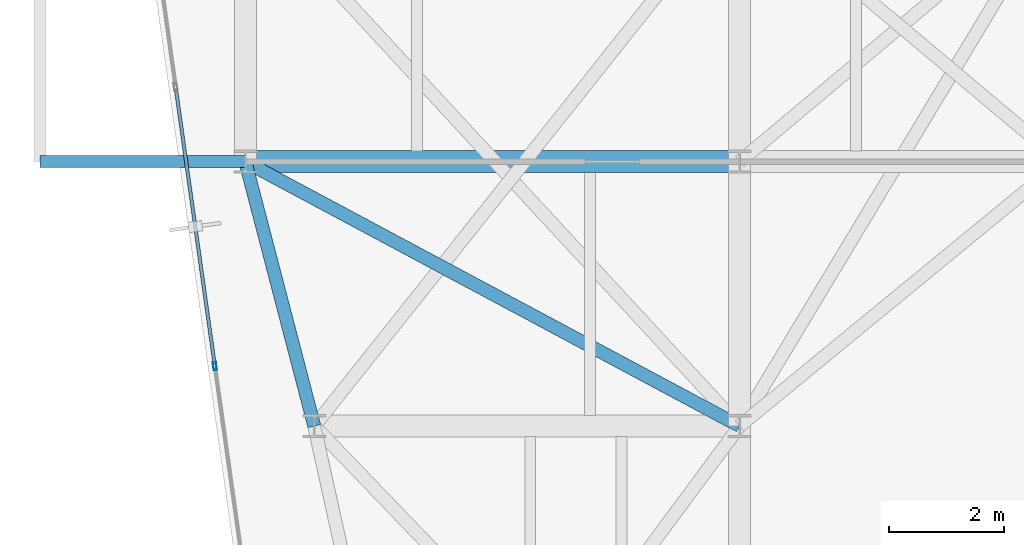
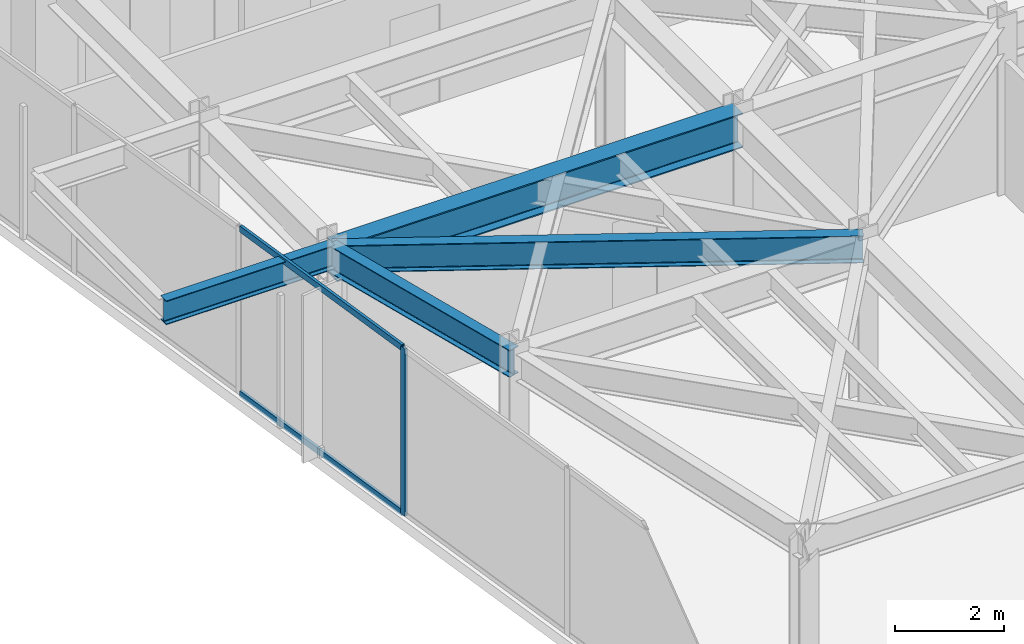
# One storey, part 4 of 26: 4 beams, 3 members, 1 element without a shape of its own.
"""IFC4 building model written with IfcOpenShell, lengths in metres."""

from ifc_helpers import new_model, si_unit, direction, frame, origin, origin_2d, place, context, subcontext, project, spatial, hollow_rectangle, i_section, extrude, material, layer, layer_set, material_profile, profile_set, type_object, element, aggregate, save


model = new_model("IFC4")

# Units and contexts
model_context = context("Model", 3, precision=1e-05, world=origin(), true_north=direction((0.0, 1.0)))
body_context = subcontext(model_context, "Body", "Model", "MODEL_VIEW")
ifc_project = project(units=[si_unit("LENGTHUNIT", "METRE"), si_unit("AREAUNIT", "SQUARE_METRE"), si_unit("VOLUMEUNIT", "CUBIC_METRE"), si_unit("PLANEANGLEUNIT", "RADIAN"), si_unit("MASSUNIT", "GRAM", prefix="KILO")], contexts=[model_context])

# Site, building, storey
site_placement = place(None, origin())
site = spatial("IfcSite", under=ifc_project, at=site_placement, CompositionType="ELEMENT")
building_placement = place(site_placement, origin())
building = spatial("IfcBuilding", under=site, at=building_placement, Name="Kravanh Interchange Tower", CompositionType="ELEMENT")
storey_placement = place(building_placement, frame((0.0, 0.0, 204.5)))
storey = spatial("IfcBuildingStorey", under=building, at=storey_placement, Name="L49", CompositionType="ELEMENT", Elevation=204.5)

# Curtain wall, members
ifc_material_1 = material(Name="Anodised Bronze Aluminium", Category="aluminium")
ifc_layer = layer(ifc_material_1, 0.179931640625)
ifc_layer_set = layer_set([ifc_layer], Name="Unitised Curtain Wall System CW-Z3 Upper Office")
curtain_wall_type = type_object("IfcCurtainWallType", Name="Unitised Curtain Wall System CW-Z3 Upper Office", PredefinedType="NOTDEFINED", material=ifc_layer_set)
curtain_wall_placement = place(storey_placement, origin())
curtain_wall = element("IfcCurtainWall", 1, at=curtain_wall_placement, inside=storey, type_object=curtain_wall_type, Name="L49 Unitised Curtain Wall CW-L49-01", PredefinedType="NOTDEFINED")
ifc_material_2 = material(Name="Anodised Bronze Aluminium", Category="aluminium")
ifc_material_profile_1 = material_profile(ifc_material_2, hollow_rectangle(XDim=0.06005859375, YDim=0.139892578125, WallThickness=0.00390625, at=origin_2d()), Name="ALU60X140X4")
ifc_profile_set_1 = profile_set([ifc_material_profile_1], Name="Anodised Bronze Aluminium")
member_type_1 = type_object("IfcMemberType", Name="Curtain Wall Mullion ALU60X140X4 Bronze", PredefinedType="MULLION", material=ifc_profile_set_1)
member_1_placement = place(storey_placement, frame((18.070556640625, 23.244384765625, 0.0), z_axis=(0.0, 0.0, 1.0), x_axis=(-0.990268194035, -0.139172209446, 0.0)))
member_1 = element("IfcMember", 2, at=member_1_placement, type_object=member_type_1, Name="CW-Z3 mullion 3", PredefinedType="MULLION", context=body_context, shape_type="SweptSolid", body=[
    extrude(hollow_rectangle(XDim=0.06005859375, YDim=0.139892578125, WallThickness=0.00390625, at=origin_2d()), origin(), (0.0, 0.0, 1.0), 3.7548828125),
])
ifc_material_3 = material(Name="Anodised Bronze Aluminium", Category="aluminium")
ifc_material_profile_2 = material_profile(ifc_material_3, hollow_rectangle(XDim=0.06005859375, YDim=0.139892578125, WallThickness=0.00390625, at=origin_2d()), Name="ALU60X140X4")
ifc_profile_set_2 = profile_set([ifc_material_profile_2], Name="Anodised Bronze Aluminium")
member_type_2 = type_object("IfcMemberType", Name="Curtain Wall Transom ALU60X140X4 Bronze", PredefinedType="USERDEFINED", material=ifc_profile_set_2)
member_2_placement = place(storey_placement, frame((18.06640625, 23.274169921875, 0.030029296875), z_axis=(-0.139182174391, 0.990266793512, 0.0), x_axis=(-0.990266793512, -0.139182174391, 0.0)))
member_2 = element("IfcMember", 3, at=member_2_placement, type_object=member_type_2, Name="CW-Z3 transom 3.1", ObjectType="TRANSOM", PredefinedType="USERDEFINED", context=body_context, shape_type="SweptSolid", body=[
    extrude(hollow_rectangle(XDim=0.06005859375, YDim=0.139892578125, WallThickness=0.00390625, at=origin_2d()), origin(), (0.0, 0.0, 1.0), 4.839599609375),
])
member_3_placement = place(storey_placement, frame((18.06640625, 23.274169921875, 3.72509765625), z_axis=(-0.139182174391, 0.990266793512, 0.0), x_axis=(-0.990266793512, -0.139182174391, 0.0)))
member_3 = element("IfcMember", 4, at=member_3_placement, type_object=member_type_2, Name="CW-Z3 transom 3.2", ObjectType="TRANSOM", PredefinedType="USERDEFINED", context=body_context, shape_type="SweptSolid", body=[
    extrude(hollow_rectangle(XDim=0.06005859375, YDim=0.139892578125, WallThickness=0.00390625, at=origin_2d()), origin(), (0.0, 0.0, 1.0), 4.839599609375),
])
aggregate(curtain_wall, [member_1, member_2, member_3])

# Beams
ifc_material_4 = material(Name="Structural Steel S355", Category="steel")
ifc_material_profile_3 = material_profile(ifc_material_4, i_section(OverallWidth=0.381103515625, OverallDepth=0.77294921875, WebThickness=0.0166015625, FlangeThickness=0.027099609375, FilletRadius=0.02490234375, at=origin_2d()), Name="W30X173")
ifc_profile_set_3 = profile_set([ifc_material_profile_3], Name="Structural Steel S355")
beam_type_1 = type_object("IfcBeamType", Name="Floor Beam W30X173 Structural Steel S355", PredefinedType="BEAM", material=ifc_profile_set_3)
beam_1_placement = place(storey_placement, frame((18.60009765625, 26.800048828125, 3.368408203125), z_axis=(1.0, 0.0, 0.0), x_axis=(0.0, 1.0, 0.0)))
element("IfcBeam", 5, at=beam_1_placement, inside=storey, type_object=beam_type_1, Name="L49 Primary Floor Girder 35", PredefinedType="BEAM", context=body_context, shape_type="SweptSolid", body=[
    extrude(i_section(OverallWidth=0.381103515625, OverallDepth=0.77294921875, WebThickness=0.0166015625, FlangeThickness=0.027099609375, FilletRadius=0.02490234375, at=origin_2d()), origin(), (0.0, 0.0, 1.0), 8.599853515625),
])
ifc_material_5 = material(Name="Structural Steel S355", Category="steel")
ifc_material_profile_4 = material_profile(ifc_material_5, i_section(OverallWidth=0.2099609375, OverallDepth=0.537109375, WebThickness=0.010986328125, FlangeThickness=0.017333984375, FilletRadius=0.02001953125, at=origin_2d()), Name="W21X68")
ifc_profile_set_4 = profile_set([ifc_material_profile_4], Name="Structural Steel S355")
beam_type_2 = type_object("IfcBeamType", Name="Floor Spandrel W21X68 Structural Steel S355", PredefinedType="SPANDREL", material=ifc_profile_set_4)
beam_2_placement = place(storey_placement, frame((18.60009765625, 26.800048828125, 3.486572265625), z_axis=(-1.0, 0.0, 0.0), x_axis=(0.0, -1.0, 0.0)))
element("IfcBeam", 6, at=beam_2_placement, inside=storey, type_object=beam_type_2, Name="L49 Balcony Cantilever Outrigger W1", PredefinedType="SPANDREL", context=body_context, shape_type="SweptSolid", body=[
    extrude(i_section(OverallWidth=0.2099609375, OverallDepth=0.537109375, WebThickness=0.010986328125, FlangeThickness=0.017333984375, FilletRadius=0.02001953125, at=origin_2d()), origin(), (0.0, 0.0, 1.0), 3.5751953125),
])
ifc_material_6 = material(Name="Structural Steel S355", Category="steel")
ifc_material_profile_5 = material_profile(ifc_material_6, i_section(OverallWidth=0.22802734375, OverallDepth=0.60791015625, WebThickness=0.01123046875, FlangeThickness=0.017333984375, FilletRadius=0.02197265625, at=origin_2d()), Name="W24X76")
ifc_profile_set_5 = profile_set([ifc_material_profile_5], Name="Structural Steel S355")
beam_type_3 = type_object("IfcBeamType", Name="Floor Spandrel W24X76 Structural Steel S355", PredefinedType="SPANDREL", material=ifc_profile_set_5)
beam_3_placement = place(storey_placement, frame((18.60009765625, 26.800048828125, 3.450927734375), z_axis=(0.252407263364, -0.967621089787, 0.0), x_axis=(0.967621089787, 0.252407263364, 0.0)))
element("IfcBeam", 7, at=beam_3_placement, inside=storey, type_object=beam_type_3, Name="L49 Perimeter Spandrel 34", PredefinedType="SPANDREL", context=body_context, shape_type="SweptSolid", body=[
    extrude(i_section(OverallWidth=0.22802734375, OverallDepth=0.60791015625, WebThickness=0.01123046875, FlangeThickness=0.017333984375, FilletRadius=0.02197265625, at=origin_2d()), origin(), (0.0, 0.0, 1.0), 4.75390625),
])
beam_4_placement = place(storey_placement, frame((18.60009765625, 26.800048828125, 3.450927734375), z_axis=(0.881777136221, -0.471666282489, 0.0), x_axis=(0.471666282489, 0.881777136221, 0.0)))
element("IfcBeam", 8, at=beam_4_placement, inside=storey, type_object=beam_type_3, Name="L49 Perimeter Spandrel 36", PredefinedType="SPANDREL", context=body_context, shape_type="SweptSolid", body=[
    extrude(i_section(OverallWidth=0.22802734375, OverallDepth=0.60791015625, WebThickness=0.01123046875, FlangeThickness=0.017333984375, FilletRadius=0.02197265625, at=origin_2d()), origin(), (0.0, 0.0, 1.0), 9.7529296875),
])

save(model, "model.ifc")
